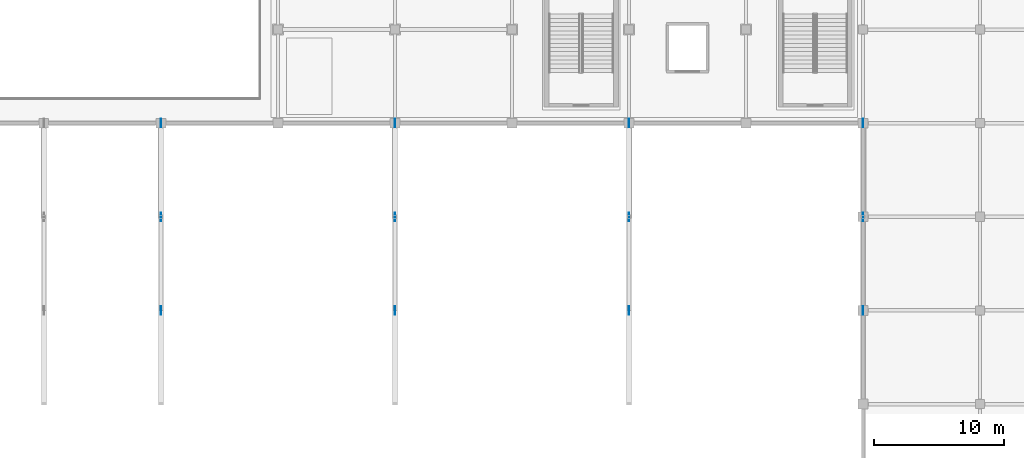
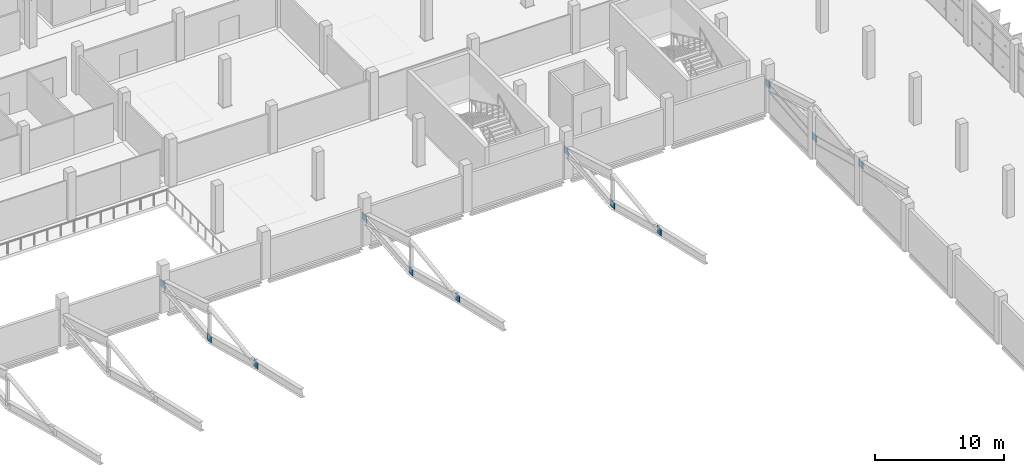
# One storey, part 100 of 151: 12 plates.
"""IFC4 building model written with IfcOpenShell, lengths in metres."""

from ifc_helpers import new_model, si_unit, direction, frame, origin, origin_2d, place, context, subcontext, project, spatial, rectangle, extrude, material, layer, layer_set, type_object, element, save


model = new_model("IFC4")

# Units and contexts
model_context = context("Model", 3, precision=1e-05, world=origin(), true_north=direction((0.0, 1.0)))
body_context = subcontext(model_context, "Body", "Model", "MODEL_VIEW")
ifc_project = project(units=[si_unit("LENGTHUNIT", "METRE"), si_unit("AREAUNIT", "SQUARE_METRE"), si_unit("VOLUMEUNIT", "CUBIC_METRE"), si_unit("PLANEANGLEUNIT", "RADIAN"), si_unit("MASSUNIT", "GRAM", prefix="KILO")], contexts=[model_context])

# Site, building, storey
site_placement = place(None, origin())
site = spatial("IfcSite", under=ifc_project, at=site_placement, CompositionType="ELEMENT")
building_placement = place(site_placement, origin())
building = spatial("IfcBuilding", under=site, at=building_placement, Name="Celestram Park Convention Centre", CompositionType="ELEMENT")
storey_placement = place(building_placement, frame((0.0, 0.0, 10.800048828125)))
storey = spatial("IfcBuildingStorey", under=building, at=storey_placement, Name="L02", CompositionType="ELEMENT", Elevation=10.800048828125)

# Plates
ifc_material = material(Name="Steel ASTM A572 Grade 50", Category="steel")
ifc_layer = layer(ifc_material, 0.050048828125)
ifc_layer_set = layer_set([ifc_layer], Name="Steel ASTM A572 Grade 50")
plate_type = type_object("IfcPlateType", Name="STR-PLT-GP50", PredefinedType="USERDEFINED", material=ifc_layer_set)
for number, where, z_axis, x_axis, name in (
    (1, (72.0, 93.60009765625, 3.290283203125), (0.0, 0.0, 1.0), (0.0, 1.0, 0.0), "V1 truss node gusset plate"),
    (2, (72.0, 100.800048828125, 1.411865234375), (0.0, 0.0, 1.0), (0.0, 1.0, 0.0), "V1 truss node gusset plate"),
    (3, (72.0, 108.0, 2.103515625), (0.0, 0.0, 1.0), (0.0, 1.0, 0.0), "V1 truss node gusset plate"),
    (4, (90.0, 93.60009765625, 3.290283203125), (0.0, 0.0, 1.0), (0.0, 1.0, 0.0), "V1 truss node gusset plate"),
    (5, (90.0, 100.800048828125, 1.411865234375), (0.0, 0.0, 1.0), (0.0, 1.0, 0.0), "V1 truss node gusset plate"),
    (6, (90.0, 108.0, 2.103515625), (0.0, 0.0, 1.0), (0.0, 1.0, 0.0), "V1 truss node gusset plate"),
    (7, (108.0, 93.60009765625, 3.290283203125), (0.0, 0.0, 1.0), (0.0, 1.0, 0.0), "V1 truss node gusset plate"),
    (8, (108.0, 100.800048828125, 1.411865234375), (0.0, 0.0, 1.0), (0.0, 1.0, 0.0), "V1 truss node gusset plate"),
    (9, (108.0, 108.0, 2.103515625), (0.0, 0.0, 1.0), (0.0, 1.0, 0.0), "V1 truss node gusset plate"),
    (10, (126.0, 93.60009765625, 3.290283203125), (0.0, 0.0, 1.0), (0.0, 1.0, 0.0), "V1 truss node gusset plate"),
    (11, (126.0, 100.800048828125, 1.411865234375), (0.0, 0.0, 1.0), (0.0, 1.0, 0.0), "V1 truss node gusset plate"),
    (12, (126.0, 108.0, 2.103515625), (0.0, 0.0, 1.0), (0.0, 1.0, 0.0), "V1 truss node gusset plate"),
):
    element("IfcPlate", number, at=place(storey_placement, frame(where, z_axis=z_axis, x_axis=x_axis)), inside=storey, type_object=plate_type, Name=name, ObjectType="GUSSET_PLATE", PredefinedType="USERDEFINED", context=body_context, shape_type="SweptSolid", body=[
        extrude(rectangle(XDim=0.64990234375, YDim=0.050048828125, at=origin_2d()), origin(), (0.0, 0.0, 1.0), 0.64990234375),
    ])

save(model, "model.ifc")
